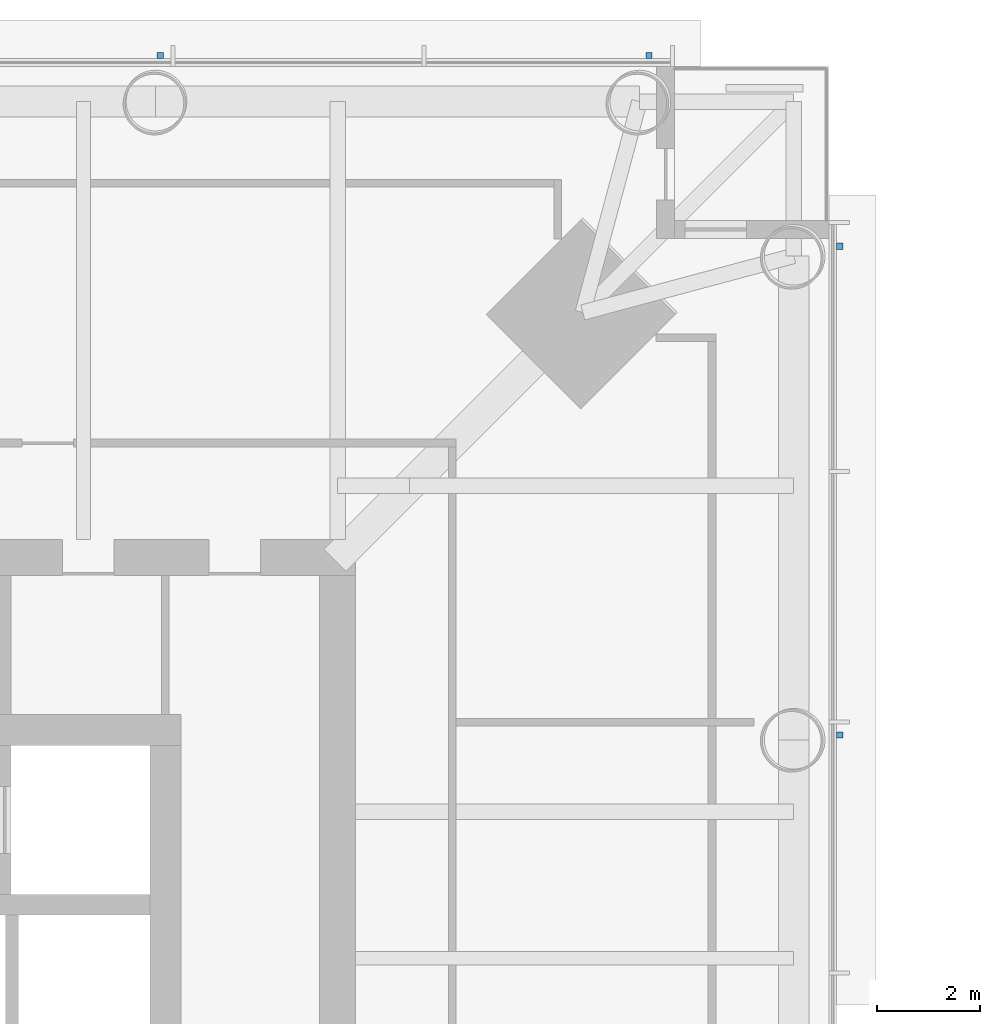
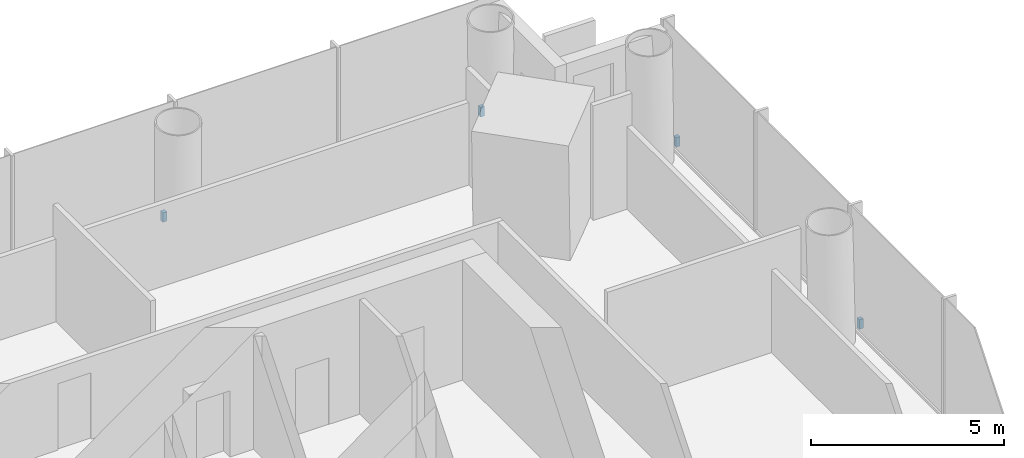
# One storey, part 21 of 27: 4 discrete accessories.
"""IFC4 building model written with IfcOpenShell, lengths in metres."""

import ifcopenshell
import ifcopenshell.guid

model = None  # the IFC model being written
_history = None  # IfcOwnerHistory: only IFC2X3 demands one
_inside = {}  # id of a spatial element -> (the spatial element, [elements in it])
_under = {}  # id of a project, library or spatial element -> (it, [spatial elements below it])
_declared = {}  # id of a project -> (the project, [libraries it declares])
_typed = {}  # id of a type object -> (the type object, [elements of that type])
_made_of = {}  # id of a material, layer set ... -> (it, [elements and type objects made of it])


def new_model(schema):
    """Start an empty IFC model of exactly this schema.

    Asked for "IFC4X3", IfcOpenShell would pick the latest addendum, in which some entities
    have other attributes; the version numbers below select the first issue.
    IFC2X3 requires an IfcOwnerHistory on every rooted entity: one is made here for all.
    """
    global model, _history
    if schema == "IFC4X3":
        model = ifcopenshell.file(schema_version=(4, 3, 0, 0))
    else:
        model = ifcopenshell.file(schema=schema)
    _inside.clear()
    _under.clear()
    _declared.clear()
    _typed.clear()
    _made_of.clear()
    _history = None
    if model.schema == "IFC2X3":
        org = make("IfcOrganization", Name="unknown")
        user = make(
            "IfcPersonAndOrganization",
            ThePerson=make("IfcPerson", FamilyName="unknown"),
            TheOrganization=org,
        )
        app = make(
            "IfcApplication",
            ApplicationDeveloper=org,
            Version="unknown",
            ApplicationFullName="unknown",
            ApplicationIdentifier="unknown",
        )
        _history = make(
            "IfcOwnerHistory",
            OwningUser=user,
            OwningApplication=app,
            ChangeAction="ADDED",
            CreationDate=0,
        )
    return model


def make(cls, **values):
    """One entity of the class cls with the attributes given. An attribute that is None is left unset."""
    return model.create_entity(
        cls, **{name: value for name, value in values.items() if value is not None}
    )


def rooted(cls, **values):
    """An entity with a GlobalId (a new one), such as an element, a storey or a relation."""
    return make(cls, GlobalId=ifcopenshell.guid.new(), OwnerHistory=_history, **values)


def si_unit(unit_type, name, prefix=None):
    """IfcSIUnit, for example si_unit("LENGTHUNIT", "METRE", prefix="MILLI")."""
    return make("IfcSIUnit", UnitType=unit_type, Prefix=prefix, Name=name)


def assignment(units):
    """IfcUnitAssignment: the units of a project."""
    return None if units is None else make("IfcUnitAssignment", Units=units)


def point(xyz):
    """IfcCartesianPoint."""
    return None if xyz is None else make("IfcCartesianPoint", Coordinates=xyz)


def direction(xyz):
    """IfcDirection."""
    return None if xyz is None else make("IfcDirection", DirectionRatios=xyz)


def frame(location, z_axis=None, x_axis=None):
    """IfcAxis2Placement3D, a coordinate frame: its origin and axes. An axis left out is left unset."""
    return make(
        "IfcAxis2Placement3D",
        Location=point(location),
        Axis=direction(z_axis),
        RefDirection=direction(x_axis),
    )


def frame_2d(location, x_axis=None):
    """IfcAxis2Placement2D, a coordinate frame in the plane: its origin and x axis."""
    return make(
        "IfcAxis2Placement2D", Location=point(location), RefDirection=direction(x_axis)
    )


def origin():
    """The frame at (0, 0, 0) with its axes left unset."""
    return frame((0.0, 0.0, 0.0))


def origin_2d():
    """The frame at (0, 0) in the plane with its x axis left unset."""
    return frame_2d((0.0, 0.0))


def place(relative_to, where):
    """IfcLocalPlacement: puts the frame where relative to a parent placement (None: the world)."""
    return make(
        "IfcLocalPlacement", PlacementRelTo=relative_to, RelativePlacement=where
    )


def context(
    kind, dimensions, precision=None, world=None, true_north=None, identifier=None
):
    """IfcGeometricRepresentationContext, for example the 3D "Model" context."""
    return make(
        "IfcGeometricRepresentationContext",
        ContextIdentifier=identifier,
        ContextType=kind,
        CoordinateSpaceDimension=dimensions,
        Precision=precision,
        WorldCoordinateSystem=world,
        TrueNorth=true_north,
    )


def subcontext(parent, identifier, kind, view, scale=None):
    """IfcGeometricRepresentationSubContext, for example "Body" below "Model"."""
    return make(
        "IfcGeometricRepresentationSubContext",
        ContextIdentifier=identifier,
        ContextType=kind,
        ParentContext=parent,
        TargetScale=scale,
        TargetView=view,
    )


def project(units=None, contexts=None):
    """IfcProject with its units and contexts."""
    return rooted(
        "IfcProject",
        Name="project",
        RepresentationContexts=contexts,
        UnitsInContext=assignment(units),
    )


def spatial(cls, under=None, at=None, **own):
    """A site, building, storey or space (cls), placed at a placement, below another one or the project."""
    s = rooted(cls, ObjectPlacement=at, **own)
    if under is not None:
        _under.setdefault(under.id(), (under, []))[1].append(s)
    return s


def profile(cls, at=None, kind="AREA", **sizes):
    """A parametric profile (cls). Its sizes go by their IFC names, for example OverallWidth=200.0."""
    return make(cls, ProfileType=kind, Position=at, **sizes)


def rectangle(**sizes):
    """IfcRectangleProfileDef."""
    return profile("IfcRectangleProfileDef", **sizes)


def extrude(swept, where, along, depth):
    """IfcExtrudedAreaSolid: the profile swept, set in the frame where, extruded along a direction by depth."""
    return make(
        "IfcExtrudedAreaSolid",
        SweptArea=swept,
        Position=where,
        ExtrudedDirection=direction(along),
        Depth=depth,
    )


def shape(context_of_items, identifier, shape_type, items):
    """IfcShapeRepresentation: the items that make up one representation, for example the "Body"."""
    return make(
        "IfcShapeRepresentation",
        ContextOfItems=context_of_items,
        RepresentationIdentifier=identifier,
        RepresentationType=shape_type,
        Items=items,
    )


def material(Name=None, Category=None):
    """IfcMaterial."""
    return make("IfcMaterial", Name=Name, Category=Category)


def made_of(thing, what):
    """Note that an element or type object is made of a material, layer set ...; save() writes the relation."""
    if what is not None:
        _made_of.setdefault(what.id(), (what, []))[1].append(thing)
    return thing


def type_object(cls, material=None, **own):
    """A type object (cls), such as IfcWallType, which elements share."""
    return made_of(rooted(cls, **own), material)


def element(
    cls,
    number,
    at=None,
    inside=None,
    cuts=None,
    type_object=None,
    material=None,
    context=None,
    identifier="Body",
    shape_type=None,
    held_by="IfcProductDefinitionShape",
    body=None,
    shapes=None,
    **own,
):
    """One element of the class cls, such as IfcWall. Its Tag is "e" and its number.

    at: its placement. inside: the storey or other place that contains it. cuts: it is an
    opening in that element (IfcRelVoidsElement). A single representation is given by context,
    identifier, shape_type and body (its items); several are given by shapes. held_by: the class
    of the entity that holds the representations. save() writes the other relations.
    """
    e = rooted(cls, Tag="e%d" % number, ObjectPlacement=at, **own)
    if body is not None:
        shapes = [shape(context, identifier, shape_type, body)]
    if shapes is not None:
        e.Representation = make(held_by, Representations=shapes)
    if inside is not None:
        _inside.setdefault(inside.id(), (inside, []))[1].append(e)
    if cuts is not None:
        rooted(
            "IfcRelVoidsElement", RelatingBuildingElement=cuts, RelatedOpeningElement=e
        )
    if type_object is not None:
        _typed.setdefault(type_object.id(), (type_object, []))[1].append(e)
    return made_of(e, material)


def aggregate(whole, parts):
    """IfcRelAggregates: a whole, such as a stair, and the parts it consists of."""
    return rooted("IfcRelAggregates", RelatingObject=whole, RelatedObjects=parts)


def save(model, path):
    """Write the relations noted so far, then the file.

    IfcRelAggregates (storeys below a building ...), IfcRelContainedInSpatialStructure (elements
    in a storey), IfcRelDefinesByType, IfcRelAssociatesMaterial and IfcRelDeclares: one each for
    every whole, place, type object, material and project.
    """
    for whole, parts in _under.values():
        aggregate(whole, parts)
    for where, things in _inside.values():
        rooted(
            "IfcRelContainedInSpatialStructure",
            RelatedElements=things,
            RelatingStructure=where,
        )
    for kind, things in _typed.values():
        rooted("IfcRelDefinesByType", RelatedObjects=things, RelatingType=kind)
    for what, things in _made_of.values():
        rooted("IfcRelAssociatesMaterial", RelatedObjects=things, RelatingMaterial=what)
    for by, libraries in _declared.values():
        rooted("IfcRelDeclares", RelatingContext=by, RelatedDefinitions=libraries)
    model.write(path)


model = new_model("IFC4")

# Units and contexts
model_context = context("Model", 3, precision=1e-05, world=origin(), true_north=direction((0.0, 1.0)))
body_context = subcontext(model_context, "Body", "Model", "MODEL_VIEW")
ifc_project = project(units=[si_unit("LENGTHUNIT", "METRE"), si_unit("AREAUNIT", "SQUARE_METRE"), si_unit("VOLUMEUNIT", "CUBIC_METRE"), si_unit("PLANEANGLEUNIT", "RADIAN"), si_unit("MASSUNIT", "GRAM", prefix="KILO")], contexts=[model_context])

# Site, building, storey
site_placement = place(None, origin())
site = spatial("IfcSite", under=ifc_project, at=site_placement, CompositionType="ELEMENT")
building_placement = place(site_placement, origin())
building = spatial("IfcBuilding", under=site, at=building_placement, Name="Ostroluk Exchange", CompositionType="ELEMENT")
storey_placement = place(building_placement, frame((0.0, 0.0, 89.39990234375)))
storey = spatial("IfcBuildingStorey", under=building, at=storey_placement, Name="L22", CompositionType="ELEMENT", Elevation=89.39990234375)

# Discrete accessories
ifc_material = material(Name="Stainless steel", Category="steel")
discrete_accessory_type = type_object("IfcDiscreteAccessoryType", Name="Fall-arrest anchor PN-EN 795 type C", PredefinedType="USERDEFINED", material=ifc_material)
for number, where, z_axis, x_axis, name in (
    (1, (67.7099609375, 55.5, 0.0), (0.0, 0.0, 1.0), (1.0, 0.0, 0.0), "Fall-arrest anchor L22 east 4"),
    (2, (67.7099609375, 65.0, 0.0), (0.0, 0.0, 1.0), (1.0, 0.0, 0.0), "Fall-arrest anchor L22 east 5"),
    (3, (54.5, 68.7099609375, 0.0), (0.0, 0.0, 1.0), (1.0, 0.0, 0.0), "Fall-arrest anchor L22 north 4"),
    (4, (64.0, 68.7099609375, 0.0), (0.0, 0.0, 1.0), (1.0, 0.0, 0.0), "Fall-arrest anchor L22 north 5"),
):
    element("IfcDiscreteAccessory", number, at=place(storey_placement, frame(where, z_axis=z_axis, x_axis=x_axis)), inside=storey, type_object=discrete_accessory_type, Name=name, ObjectType="FALL ARREST ANCHOR", PredefinedType="USERDEFINED", context=body_context, shape_type="SweptSolid", body=[
        extrude(rectangle(XDim=0.1201171875, YDim=0.1201171875, at=origin_2d()), origin(), (0.0, 0.0, 1.0), 0.300048828125),
    ])

save(model, "model.ifc")
